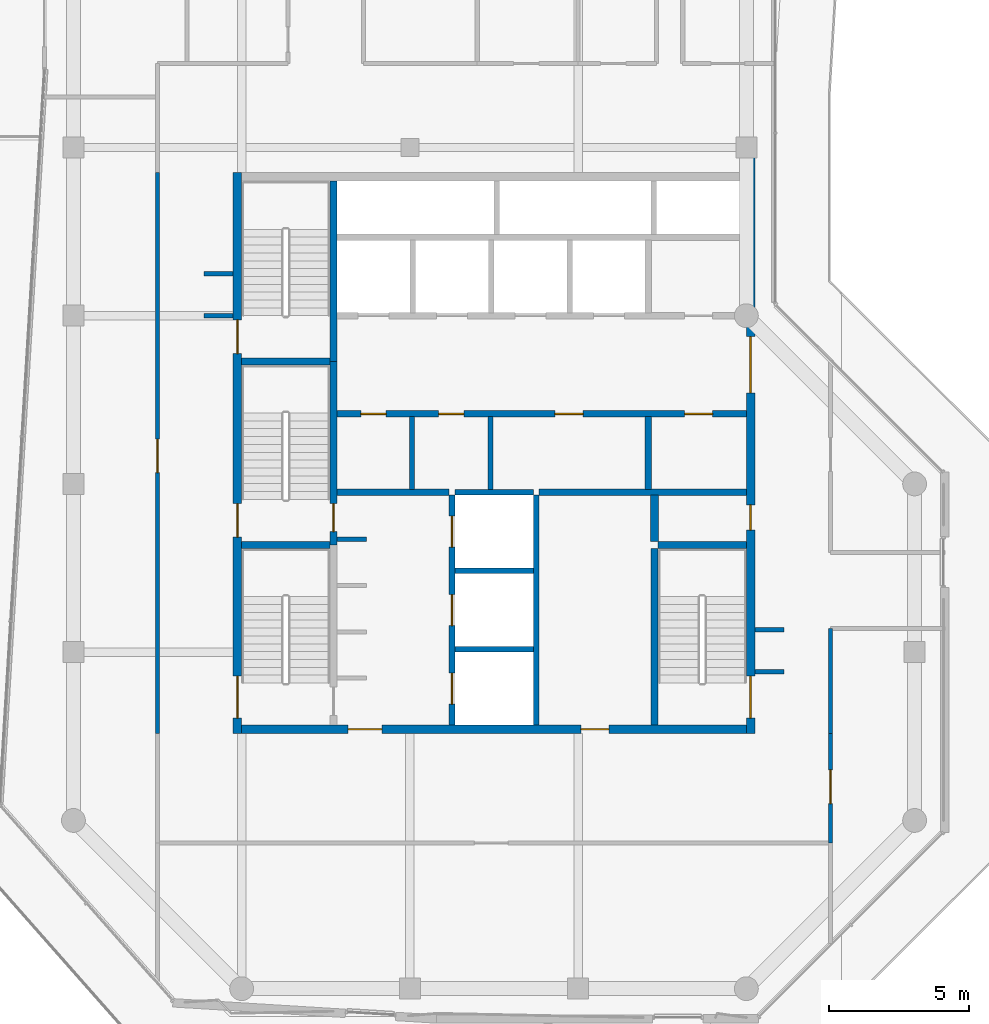
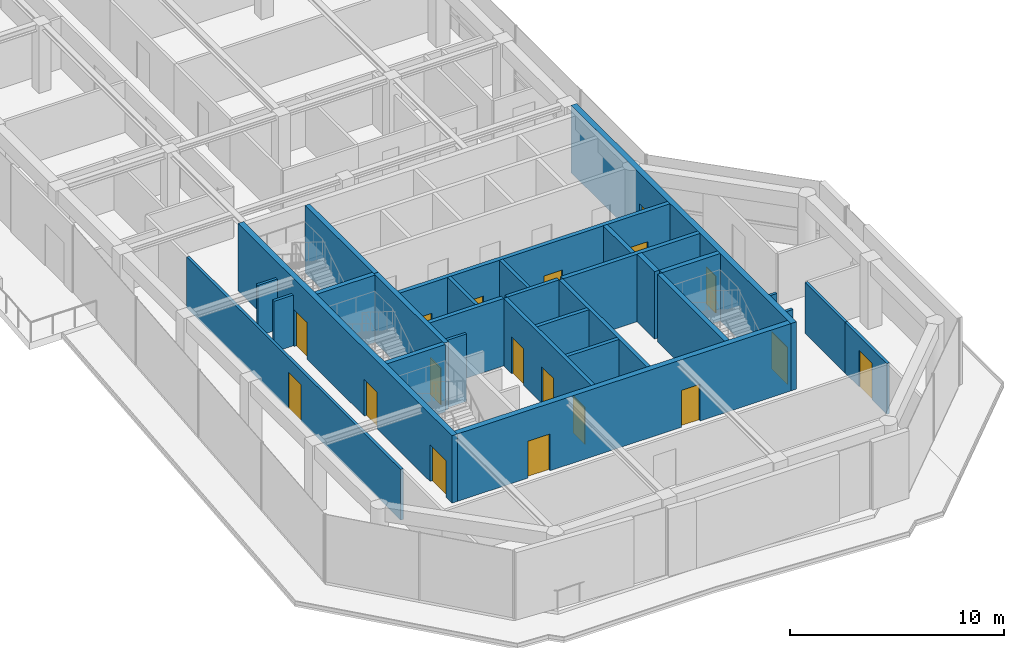
# One storey, part 14 of 18: 29 walls, 18 doors, 18 openings.
"""IFC4 building model written with IfcOpenShell, lengths in metres."""

import ifcopenshell
import ifcopenshell.guid

model = None  # the IFC model being written
_history = None  # IfcOwnerHistory: only IFC2X3 demands one
_inside = {}  # id of a spatial element -> (the spatial element, [elements in it])
_under = {}  # id of a project, library or spatial element -> (it, [spatial elements below it])
_declared = {}  # id of a project -> (the project, [libraries it declares])
_typed = {}  # id of a type object -> (the type object, [elements of that type])
_made_of = {}  # id of a material, layer set ... -> (it, [elements and type objects made of it])


def new_model(schema):
    """Start an empty IFC model of exactly this schema.

    Asked for "IFC4X3", IfcOpenShell would pick the latest addendum, in which some entities
    have other attributes; the version numbers below select the first issue.
    IFC2X3 requires an IfcOwnerHistory on every rooted entity: one is made here for all.
    """
    global model, _history
    if schema == "IFC4X3":
        model = ifcopenshell.file(schema_version=(4, 3, 0, 0))
    else:
        model = ifcopenshell.file(schema=schema)
    _inside.clear()
    _under.clear()
    _declared.clear()
    _typed.clear()
    _made_of.clear()
    _history = None
    if model.schema == "IFC2X3":
        org = make("IfcOrganization", Name="unknown")
        user = make(
            "IfcPersonAndOrganization",
            ThePerson=make("IfcPerson", FamilyName="unknown"),
            TheOrganization=org,
        )
        app = make(
            "IfcApplication",
            ApplicationDeveloper=org,
            Version="unknown",
            ApplicationFullName="unknown",
            ApplicationIdentifier="unknown",
        )
        _history = make(
            "IfcOwnerHistory",
            OwningUser=user,
            OwningApplication=app,
            ChangeAction="ADDED",
            CreationDate=0,
        )
    return model


def make(cls, **values):
    """One entity of the class cls with the attributes given. An attribute that is None is left unset."""
    return model.create_entity(
        cls, **{name: value for name, value in values.items() if value is not None}
    )


def rooted(cls, **values):
    """An entity with a GlobalId (a new one), such as an element, a storey or a relation."""
    return make(cls, GlobalId=ifcopenshell.guid.new(), OwnerHistory=_history, **values)


def si_unit(unit_type, name, prefix=None):
    """IfcSIUnit, for example si_unit("LENGTHUNIT", "METRE", prefix="MILLI")."""
    return make("IfcSIUnit", UnitType=unit_type, Prefix=prefix, Name=name)


def assignment(units):
    """IfcUnitAssignment: the units of a project."""
    return None if units is None else make("IfcUnitAssignment", Units=units)


def point(xyz):
    """IfcCartesianPoint."""
    return None if xyz is None else make("IfcCartesianPoint", Coordinates=xyz)


def direction(xyz):
    """IfcDirection."""
    return None if xyz is None else make("IfcDirection", DirectionRatios=xyz)


def frame(location, z_axis=None, x_axis=None):
    """IfcAxis2Placement3D, a coordinate frame: its origin and axes. An axis left out is left unset."""
    return make(
        "IfcAxis2Placement3D",
        Location=point(location),
        Axis=direction(z_axis),
        RefDirection=direction(x_axis),
    )


def frame_2d(location, x_axis=None):
    """IfcAxis2Placement2D, a coordinate frame in the plane: its origin and x axis."""
    return make(
        "IfcAxis2Placement2D", Location=point(location), RefDirection=direction(x_axis)
    )


def origin():
    """The frame at (0, 0, 0) with its axes left unset."""
    return frame((0.0, 0.0, 0.0))


def place(relative_to, where):
    """IfcLocalPlacement: puts the frame where relative to a parent placement (None: the world)."""
    return make(
        "IfcLocalPlacement", PlacementRelTo=relative_to, RelativePlacement=where
    )


def context(
    kind, dimensions, precision=None, world=None, true_north=None, identifier=None
):
    """IfcGeometricRepresentationContext, for example the 3D "Model" context."""
    return make(
        "IfcGeometricRepresentationContext",
        ContextIdentifier=identifier,
        ContextType=kind,
        CoordinateSpaceDimension=dimensions,
        Precision=precision,
        WorldCoordinateSystem=world,
        TrueNorth=true_north,
    )


def subcontext(parent, identifier, kind, view, scale=None):
    """IfcGeometricRepresentationSubContext, for example "Body" below "Model"."""
    return make(
        "IfcGeometricRepresentationSubContext",
        ContextIdentifier=identifier,
        ContextType=kind,
        ParentContext=parent,
        TargetScale=scale,
        TargetView=view,
    )


def project(units=None, contexts=None):
    """IfcProject with its units and contexts."""
    return rooted(
        "IfcProject",
        Name="project",
        RepresentationContexts=contexts,
        UnitsInContext=assignment(units),
    )


def spatial(cls, under=None, at=None, **own):
    """A site, building, storey or space (cls), placed at a placement, below another one or the project."""
    s = rooted(cls, ObjectPlacement=at, **own)
    if under is not None:
        _under.setdefault(under.id(), (under, []))[1].append(s)
    return s


def profile(cls, at=None, kind="AREA", **sizes):
    """A parametric profile (cls). Its sizes go by their IFC names, for example OverallWidth=200.0."""
    return make(cls, ProfileType=kind, Position=at, **sizes)


def rectangle(**sizes):
    """IfcRectangleProfileDef."""
    return profile("IfcRectangleProfileDef", **sizes)


def extrude(swept, where, along, depth):
    """IfcExtrudedAreaSolid: the profile swept, set in the frame where, extruded along a direction by depth."""
    return make(
        "IfcExtrudedAreaSolid",
        SweptArea=swept,
        Position=where,
        ExtrudedDirection=direction(along),
        Depth=depth,
    )


def shape(context_of_items, identifier, shape_type, items):
    """IfcShapeRepresentation: the items that make up one representation, for example the "Body"."""
    return make(
        "IfcShapeRepresentation",
        ContextOfItems=context_of_items,
        RepresentationIdentifier=identifier,
        RepresentationType=shape_type,
        Items=items,
    )


def material(Name=None, Category=None):
    """IfcMaterial."""
    return make("IfcMaterial", Name=Name, Category=Category)


def layer(
    of_material, thickness, ventilated=None, Name=None, Category=None, Priority=None
):
    """IfcMaterialLayer: one layer of a wall or slab, of a material (None: an air gap)."""
    return make(
        "IfcMaterialLayer",
        Material=of_material,
        LayerThickness=thickness,
        IsVentilated=ventilated,
        Name=Name,
        Category=Category,
        Priority=Priority,
    )


def layer_set(layers, Name=None):
    """IfcMaterialLayerSet."""
    return make("IfcMaterialLayerSet", MaterialLayers=layers, LayerSetName=Name)


def made_of(thing, what):
    """Note that an element or type object is made of a material, layer set ...; save() writes the relation."""
    if what is not None:
        _made_of.setdefault(what.id(), (what, []))[1].append(thing)
    return thing


def type_object(cls, material=None, **own):
    """A type object (cls), such as IfcWallType, which elements share."""
    return made_of(rooted(cls, **own), material)


def element(
    cls,
    number,
    at=None,
    inside=None,
    cuts=None,
    type_object=None,
    material=None,
    context=None,
    identifier="Body",
    shape_type=None,
    held_by="IfcProductDefinitionShape",
    body=None,
    shapes=None,
    **own,
):
    """One element of the class cls, such as IfcWall. Its Tag is "e" and its number.

    at: its placement. inside: the storey or other place that contains it. cuts: it is an
    opening in that element (IfcRelVoidsElement). A single representation is given by context,
    identifier, shape_type and body (its items); several are given by shapes. held_by: the class
    of the entity that holds the representations. save() writes the other relations.
    """
    e = rooted(cls, Tag="e%d" % number, ObjectPlacement=at, **own)
    if body is not None:
        shapes = [shape(context, identifier, shape_type, body)]
    if shapes is not None:
        e.Representation = make(held_by, Representations=shapes)
    if inside is not None:
        _inside.setdefault(inside.id(), (inside, []))[1].append(e)
    if cuts is not None:
        rooted(
            "IfcRelVoidsElement", RelatingBuildingElement=cuts, RelatedOpeningElement=e
        )
    if type_object is not None:
        _typed.setdefault(type_object.id(), (type_object, []))[1].append(e)
    return made_of(e, material)


def fill(opening, filler):
    """IfcRelFillsElement: the door or window that sits in an opening."""
    return rooted(
        "IfcRelFillsElement",
        RelatingOpeningElement=opening,
        RelatedBuildingElement=filler,
    )


def aggregate(whole, parts):
    """IfcRelAggregates: a whole, such as a stair, and the parts it consists of."""
    return rooted("IfcRelAggregates", RelatingObject=whole, RelatedObjects=parts)


def save(model, path):
    """Write the relations noted so far, then the file.

    IfcRelAggregates (storeys below a building ...), IfcRelContainedInSpatialStructure (elements
    in a storey), IfcRelDefinesByType, IfcRelAssociatesMaterial and IfcRelDeclares: one each for
    every whole, place, type object, material and project.
    """
    for whole, parts in _under.values():
        aggregate(whole, parts)
    for where, things in _inside.values():
        rooted(
            "IfcRelContainedInSpatialStructure",
            RelatedElements=things,
            RelatingStructure=where,
        )
    for kind, things in _typed.values():
        rooted("IfcRelDefinesByType", RelatedObjects=things, RelatingType=kind)
    for what, things in _made_of.values():
        rooted("IfcRelAssociatesMaterial", RelatedObjects=things, RelatingMaterial=what)
    for by, libraries in _declared.values():
        rooted("IfcRelDeclares", RelatingContext=by, RelatedDefinitions=libraries)
    model.write(path)


model = new_model("IFC4")

# Units and contexts
model_context = context("Model", 3, precision=1e-05, world=origin(), true_north=direction((0.0, 1.0)))
body_context = subcontext(model_context, "Body", "Model", "MODEL_VIEW")
ifc_project = project(units=[si_unit("LENGTHUNIT", "METRE"), si_unit("AREAUNIT", "SQUARE_METRE"), si_unit("VOLUMEUNIT", "CUBIC_METRE"), si_unit("PLANEANGLEUNIT", "RADIAN"), si_unit("MASSUNIT", "GRAM", prefix="KILO")], contexts=[model_context])

# Site, building, storey
site_placement = place(None, origin())
site = spatial("IfcSite", under=ifc_project, at=site_placement, CompositionType="ELEMENT")
building_placement = place(site_placement, origin())
building = spatial("IfcBuilding", under=site, at=building_placement, Name="Welwitschia Terrace Campus", CompositionType="ELEMENT")
storey_placement = place(building_placement, frame((0.0, 0.0, 272.60009765625)))
storey = spatial("IfcBuildingStorey", under=building, at=storey_placement, Name="L60", CompositionType="ELEMENT", Elevation=272.60009765625)

# Walls
ifc_material_1 = material(Name="Concrete C32/40", Category="concrete")
ifc_layer_1 = layer(ifc_material_1, 0.175048828125)
ifc_layer_set_1 = layer_set([ifc_layer_1], Name="Concrete C32/40")
wall_type_1 = type_object("IfcWallType", Name="Core partition 175 Concrete C32/40", PredefinedType="PARTITIONING", material=ifc_layer_set_1)
for number, where, z_axis, x_axis, name in (
    (1, (12.074951171875, 13.800048828125, 0.0), (0.0, 0.0, 1.0), (0.0, 1.0, 0.0), "Core partition"),
    (2, (14.875, 13.800048828125, 0.0), (0.0, 0.0, 1.0), (0.0, 1.0, 0.0), "Core partition"),
):
    element("IfcWall", number, at=place(storey_placement, frame(where, z_axis=z_axis, x_axis=x_axis)), inside=storey, type_object=wall_type_1, Name=name, PredefinedType="PARTITIONING", context=body_context, shape_type="SweptSolid", body=[
        extrude(rectangle(XDim=2.599853515625, YDim=0.175048828125, at=frame_2d((1.2998046875, 0.0))), origin(), (0.0, 0.0, 1.0), 3.849853515625),
    ])
ifc_material_2 = material(Name="Concrete C32/40", Category="concrete")
ifc_layer_2 = layer(ifc_material_2, 0.22509765625)
ifc_layer_set_2 = layer_set([ifc_layer_2], Name="Concrete C32/40")
wall_type_2 = type_object("IfcWallType", Name="Core partition 225 Concrete C32/40", PredefinedType="PARTITIONING", material=ifc_layer_set_2)
wall_1_placement = place(storey_placement, frame((9.39990234375, 13.699951171875, 0.0), z_axis=(0.0, 0.0, 1.0), x_axis=(1.0, 0.0, 0.0)))
element("IfcWall", 3, at=wall_1_placement, inside=storey, type_object=wall_type_2, Name="Core partition", PredefinedType="PARTITIONING", context=body_context, shape_type="SweptSolid", body=[
    extrude(rectangle(XDim=4.0, YDim=0.22509765625, at=frame_2d((2.0, 0.0))), origin(), (0.0, 0.0, 1.0), 3.849853515625),
])
wall_2_placement = place(storey_placement, frame((16.60009765625, 13.699951171875, 0.0), z_axis=(0.0, 0.0, 1.0), x_axis=(1.0, 0.0, 0.0)))
element("IfcWall", 4, at=wall_2_placement, inside=storey, type_object=wall_type_2, Name="Core partition", PredefinedType="PARTITIONING", context=body_context, shape_type="SweptSolid", body=[
    extrude(rectangle(XDim=7.39990234375, YDim=0.22509765625, at=frame_2d((3.699951171875, 0.0))), origin(), (0.0, 0.0, 1.0), 3.849853515625),
])

# Wall, openings, doors
wall_3_placement = place(storey_placement, frame((9.39990234375, 16.5, 0.0), z_axis=(0.0, 0.0, 1.0), x_axis=(1.0, 0.0, 0.0)))
wall_3 = element("IfcWall", 5, at=wall_3_placement, inside=storey, type_object=wall_type_2, Name="Core partition", PredefinedType="PARTITIONING", context=body_context, shape_type="SweptSolid", body=[
    extrude(rectangle(XDim=14.60009765625, YDim=0.22509765625, at=frame_2d((7.300048828125, 0.0))), origin(), (0.0, 0.0, 1.0), 3.849853515625),
])
opening_1_placement = place(wall_3_placement, frame((0.85009765625, 0.0, 0.0)))
opening_1 = element("IfcOpeningElement", 6, at=opening_1_placement, cuts=wall_3, Name="Opening DR09", PredefinedType="OPENING", context=body_context, shape_type="SweptSolid", body=[
    extrude(rectangle(XDim=0.89990234375, YDim=2.10009765625, at=frame_2d((0.449951171875, 1.050048828125))), frame((0.0, 0.12255859375, 0.0), z_axis=(0.0, -1.0, 0.0), x_axis=(1.0, 0.0, 0.0)), (0.0, 0.0, 1.0), 0.2451171875),
])
opening_2_placement = place(wall_3_placement, frame((3.625, 0.0, 0.0)))
opening_2 = element("IfcOpeningElement", 7, at=opening_2_placement, cuts=wall_3, Name="Opening DR09", PredefinedType="OPENING", context=body_context, shape_type="SweptSolid", body=[
    extrude(rectangle(XDim=0.89990234375, YDim=2.10009765625, at=frame_2d((0.449951171875, 1.050048828125))), frame((0.0, 0.12255859375, 0.0), z_axis=(0.0, -1.0, 0.0), x_axis=(1.0, 0.0, 0.0)), (0.0, 0.0, 1.0), 0.2451171875),
])
opening_3_placement = place(wall_3_placement, frame((7.77490234375, 0.0, 0.0)))
opening_3 = element("IfcOpeningElement", 8, at=opening_3_placement, cuts=wall_3, Name="Opening DR10", PredefinedType="OPENING", context=body_context, shape_type="SweptSolid", body=[
    extrude(rectangle(XDim=1.0, YDim=2.10009765625, at=frame_2d((0.5, 1.050048828125))), frame((0.0, 0.12255859375, 0.0), z_axis=(0.0, -1.0, 0.0), x_axis=(1.0, 0.0, 0.0)), (0.0, 0.0, 1.0), 0.2451171875),
])
opening_4_placement = place(wall_3_placement, frame((12.39990234375, 0.0, 0.0)))
opening_4 = element("IfcOpeningElement", 9, at=opening_4_placement, cuts=wall_3, Name="Opening DR10", PredefinedType="OPENING", context=body_context, shape_type="SweptSolid", body=[
    extrude(rectangle(XDim=1.0, YDim=2.10009765625, at=frame_2d((0.5, 1.050048828125))), frame((0.0, 0.12255859375, 0.0), z_axis=(0.0, -1.0, 0.0), x_axis=(1.0, 0.0, 0.0)), (0.0, 0.0, 1.0), 0.2451171875),
])
ifc_material_3 = material(Name="Steel S275", Category="steel")
door_type_1 = type_object("IfcDoorType", Name="Core door DR09", OperationType="SINGLE_SWING_LEFT", PredefinedType="DOOR", material=ifc_material_3)
door_1_placement = place(opening_1_placement, origin())
door_1 = element("IfcDoor", 10, at=door_1_placement, inside=storey, type_object=door_type_1, Name="Door BAYL1-D", OperationType="SINGLE_SWING_LEFT", OverallHeight=2.10009765625, OverallWidth=0.89990234375, PredefinedType="DOOR", context=body_context, shape_type="SweptSolid", body=[
    extrude(rectangle(XDim=0.89990234375, YDim=2.10009765625, at=frame_2d((0.449951171875, 1.050048828125))), frame((0.0, 0.02490234375, 0.0), z_axis=(0.0, -1.0, 0.0), x_axis=(1.0, 0.0, 0.0)), (0.0, 0.0, 1.0), 0.050048828125),
])
fill(opening_1, door_1)
door_2_placement = place(opening_2_placement, origin())
door_2 = element("IfcDoor", 11, at=door_2_placement, inside=storey, type_object=door_type_1, Name="Door BAYL2-D", OperationType="SINGLE_SWING_LEFT", OverallHeight=2.10009765625, OverallWidth=0.89990234375, PredefinedType="DOOR", context=body_context, shape_type="SweptSolid", body=[
    extrude(rectangle(XDim=0.89990234375, YDim=2.10009765625, at=frame_2d((0.449951171875, 1.050048828125))), frame((0.0, 0.02490234375, 0.0), z_axis=(0.0, -1.0, 0.0), x_axis=(1.0, 0.0, 0.0)), (0.0, 0.0, 1.0), 0.050048828125),
])
fill(opening_2, door_2)
ifc_material_4 = material(Name="Steel S275", Category="steel")
door_type_2 = type_object("IfcDoorType", Name="Core door DR10", OperationType="SINGLE_SWING_LEFT", PredefinedType="DOOR", material=ifc_material_4)
door_3_placement = place(opening_3_placement, origin())
door_3 = element("IfcDoor", 12, at=door_3_placement, inside=storey, type_object=door_type_2, Name="Door BAYL3-D", OperationType="SINGLE_SWING_RIGHT", OverallHeight=2.10009765625, OverallWidth=1.0, PredefinedType="DOOR", context=body_context, shape_type="SweptSolid", body=[
    extrude(rectangle(XDim=1.0, YDim=2.10009765625, at=frame_2d((0.5, 1.050048828125))), frame((0.0, 0.02490234375, 0.0), z_axis=(0.0, -1.0, 0.0), x_axis=(1.0, 0.0, 0.0)), (0.0, 0.0, 1.0), 0.050048828125),
])
fill(opening_3, door_3)
door_4_placement = place(opening_4_placement, origin())
door_4 = element("IfcDoor", 13, at=door_4_placement, inside=storey, type_object=door_type_2, Name="Door EL-D", OperationType="SINGLE_SWING_RIGHT", OverallHeight=2.10009765625, OverallWidth=1.0, PredefinedType="DOOR", context=body_context, shape_type="SweptSolid", body=[
    extrude(rectangle(XDim=1.0, YDim=2.10009765625, at=frame_2d((0.5, 1.050048828125))), frame((0.0, 0.02490234375, 0.0), z_axis=(0.0, -1.0, 0.0), x_axis=(1.0, 0.0, 0.0)), (0.0, 0.0, 1.0), 0.050048828125),
])
fill(opening_4, door_4)

# Walls
wall_4_placement = place(storey_placement, frame((20.5, 13.800048828125, 0.0), z_axis=(0.0, 0.0, 1.0), x_axis=(0.0, 1.0, 0.0)))
element("IfcWall", 14, at=wall_4_placement, inside=storey, type_object=wall_type_2, Name="Core partition", PredefinedType="PARTITIONING", context=body_context, shape_type="SweptSolid", body=[
    extrude(rectangle(XDim=2.599853515625, YDim=0.22509765625, at=frame_2d((1.2998046875, 0.0))), origin(), (0.0, 0.0, 1.0), 3.849853515625),
])
ifc_material_5 = material(Name="Concrete C32/40", Category="concrete")
ifc_layer_3 = layer(ifc_material_5, 0.27490234375)
ifc_layer_set_3 = layer_set([ifc_layer_3], Name="Concrete C32/40")
wall_type_3 = type_object("IfcWallType", Name="Core partition 275 Concrete C32/40", PredefinedType="PARTITIONING", material=ifc_layer_set_3)
wall_5_placement = place(storey_placement, frame((20.72509765625, 11.949951171875, 0.0), z_axis=(0.0, 0.0, 1.0), x_axis=(0.0, 1.0, 0.0)))
element("IfcWall", 15, at=wall_5_placement, inside=storey, type_object=wall_type_3, Name="Core partition", PredefinedType="PARTITIONING", context=body_context, shape_type="SweptSolid", body=[
    extrude(rectangle(XDim=1.650146484375, YDim=0.27490234375, at=frame_2d((0.8251953125, 0.0))), origin(), (0.0, 0.0, 1.0), 3.849853515625),
])
ifc_material_6 = material(Name="Concrete C50/60", Category="concrete")
ifc_layer_4 = layer(ifc_material_6, 0.14990234375)
ifc_layer_set_4 = layer_set([ifc_layer_4], Name="Concrete C50/60")
wall_type_4 = type_object("IfcWallType", Name="Core wall 150 Concrete C50/60", PredefinedType="SHEAR", material=ifc_layer_set_4)
wall_6_placement = place(storey_placement, frame((9.39990234375, 12.02490234375, 0.0), z_axis=(0.0, 0.0, 1.0), x_axis=(1.0, 0.0, 0.0)))
element("IfcWall", 16, at=wall_6_placement, inside=storey, type_object=wall_type_4, Name="Core wall", PredefinedType="SHEAR", context=body_context, shape_type="SweptSolid", body=[
    extrude(rectangle(XDim=1.050048828125, YDim=0.14990234375, at=frame_2d((0.52490234375, 0.0))), origin(), (0.0, 0.0, 1.0), 3.849853515625),
])
ifc_material_7 = material(Name="Concrete C50/60", Category="concrete")
ifc_layer_5 = layer(ifc_material_7, 0.199951171875)
ifc_layer_set_5 = layer_set([ifc_layer_5], Name="Concrete C50/60")
wall_type_5 = type_object("IfcWallType", Name="Core wall 200 Concrete C50/60", PredefinedType="SHEAR", material=ifc_layer_set_5)
for number, where, z_axis, x_axis, name in (
    (17, (13.60009765625, 8.10009765625, 0.0), (0.0, 0.0, 1.0), (1.0, 0.0, 0.0), "Core wall"),
    (18, (13.60009765625, 10.89990234375, 0.0), (0.0, 0.0, 1.0), (1.0, 0.0, 0.0), "Core wall"),
    (19, (13.60009765625, 13.699951171875, 0.0), (0.0, 0.0, 1.0), (1.0, 0.0, 0.0), "Core wall"),
):
    element("IfcWall", number, at=place(storey_placement, frame(where, z_axis=z_axis, x_axis=x_axis)), inside=storey, type_object=wall_type_5, Name=name, PredefinedType="SHEAR", context=body_context, shape_type="SweptSolid", body=[
        extrude(rectangle(XDim=2.7998046875, YDim=0.199951171875, at=frame_2d((1.39990234375, 0.0))), origin(), (0.0, 0.0, 1.0), 3.849853515625),
    ])

# Wall, openings, doors
wall_7_placement = place(storey_placement, frame((13.5, 5.39990234375, 0.0), z_axis=(0.0, 0.0, 1.0), x_axis=(0.0, 1.0, 0.0)))
wall_7 = element("IfcWall", 20, at=wall_7_placement, inside=storey, type_object=wall_type_5, Name="Core wall", PredefinedType="SHEAR", context=body_context, shape_type="SweptSolid", body=[
    extrude(rectangle(XDim=8.2001953125, YDim=0.199951171875, at=frame_2d((4.10009765625, 0.0))), origin(), (0.0, 0.0, 1.0), 3.849853515625),
])
opening_5_placement = place(wall_7_placement, frame((0.75, 0.0, 0.0)))
opening_5 = element("IfcOpeningElement", 21, at=opening_5_placement, cuts=wall_7, Name="Opening LD", PredefinedType="OPENING", context=body_context, shape_type="SweptSolid", body=[
    extrude(rectangle(XDim=1.10009765625, YDim=2.10009765625, at=frame_2d((0.550048828125, 1.050048828125))), frame((0.0, 0.10986328125, 0.0), z_axis=(0.0, -1.0, 0.0), x_axis=(1.0, 0.0, 0.0)), (0.0, 0.0, 1.0), 0.219970703125),
])
opening_6_placement = place(wall_7_placement, frame((3.550048828125, 0.0, 0.0)))
opening_6 = element("IfcOpeningElement", 22, at=opening_6_placement, cuts=wall_7, Name="Opening LD", PredefinedType="OPENING", context=body_context, shape_type="SweptSolid", body=[
    extrude(rectangle(XDim=1.10009765625, YDim=2.10009765625, at=frame_2d((0.550048828125, 1.050048828125))), frame((0.0, 0.10986328125, 0.0), z_axis=(0.0, -1.0, 0.0), x_axis=(1.0, 0.0, 0.0)), (0.0, 0.0, 1.0), 0.219970703125),
])
opening_7_placement = place(wall_7_placement, frame((6.35009765625, 0.0, 0.0)))
opening_7 = element("IfcOpeningElement", 23, at=opening_7_placement, cuts=wall_7, Name="Opening LD", PredefinedType="OPENING", context=body_context, shape_type="SweptSolid", body=[
    extrude(rectangle(XDim=1.10009765625, YDim=2.10009765625, at=frame_2d((0.550048828125, 1.050048828125))), frame((0.0, 0.10986328125, 0.0), z_axis=(0.0, -1.0, 0.0), x_axis=(1.0, 0.0, 0.0)), (0.0, 0.0, 1.0), 0.219970703125),
])
ifc_material_8 = material(Name="Stainless steel 304", Category="steel")
door_type_3 = type_object("IfcDoorType", Name="Lift landing door", OperationType="DOUBLE_DOOR_SLIDING", PredefinedType="DOOR", material=ifc_material_8)
door_5_placement = place(opening_5_placement, origin())
door_5 = element("IfcDoor", 24, at=door_5_placement, inside=storey, type_object=door_type_3, Name="Landing door FF1", OperationType="DOUBLE_DOOR_SLIDING", OverallHeight=2.10009765625, OverallWidth=1.10009765625, PredefinedType="DOOR", context=body_context, shape_type="SweptSolid", body=[
    extrude(rectangle(XDim=1.10009765625, YDim=2.10009765625, at=frame_2d((0.550048828125, 1.050048828125))), frame((0.0, 0.02490234375, 0.0), z_axis=(0.0, -1.0, 0.0), x_axis=(1.0, 0.0, 0.0)), (0.0, 0.0, 1.0), 0.050048828125),
])
fill(opening_5, door_5)
door_6_placement = place(opening_6_placement, origin())
door_6 = element("IfcDoor", 25, at=door_6_placement, inside=storey, type_object=door_type_3, Name="Landing door FF2", OperationType="DOUBLE_DOOR_SLIDING", OverallHeight=2.10009765625, OverallWidth=1.10009765625, PredefinedType="DOOR", context=body_context, shape_type="SweptSolid", body=[
    extrude(rectangle(XDim=1.10009765625, YDim=2.10009765625, at=frame_2d((0.550048828125, 1.050048828125))), frame((0.0, 0.02490234375, 0.0), z_axis=(0.0, -1.0, 0.0), x_axis=(1.0, 0.0, 0.0)), (0.0, 0.0, 1.0), 0.050048828125),
])
fill(opening_6, door_6)
door_7_placement = place(opening_7_placement, origin())
door_7 = element("IfcDoor", 26, at=door_7_placement, inside=storey, type_object=door_type_3, Name="Landing door SV1", OperationType="DOUBLE_DOOR_SLIDING", OverallHeight=2.10009765625, OverallWidth=1.10009765625, PredefinedType="DOOR", context=body_context, shape_type="SweptSolid", body=[
    extrude(rectangle(XDim=1.10009765625, YDim=2.10009765625, at=frame_2d((0.550048828125, 1.050048828125))), frame((0.0, 0.02490234375, 0.0), z_axis=(0.0, -1.0, 0.0), x_axis=(1.0, 0.0, 0.0)), (0.0, 0.0, 1.0), 0.050048828125),
])
fill(opening_7, door_7)

# Walls
wall_8_placement = place(storey_placement, frame((16.5, 5.39990234375, 0.0), z_axis=(0.0, 0.0, 1.0), x_axis=(0.0, 1.0, 0.0)))
element("IfcWall", 27, at=wall_8_placement, inside=storey, type_object=wall_type_5, Name="Core wall", PredefinedType="SHEAR", context=body_context, shape_type="SweptSolid", body=[
    extrude(rectangle(XDim=8.2001953125, YDim=0.199951171875, at=frame_2d((4.10009765625, 0.0))), origin(), (0.0, 0.0, 1.0), 3.849853515625),
])
ifc_material_9 = material(Name="Concrete C50/60", Category="concrete")
ifc_layer_6 = layer(ifc_material_9, 0.25)
ifc_layer_set_6 = layer_set([ifc_layer_6], Name="Concrete C50/60")
wall_type_6 = type_object("IfcWallType", Name="Core wall 250 Concrete C50/60", PredefinedType="SHEAR", material=ifc_layer_set_6)
for number, where, z_axis, x_axis, name in (
    (28, (6.0, 11.824951171875, 0.0), (0.0, 0.0, 1.0), (1.0, 0.0, 0.0), "Core wall"),
    (29, (20.85009765625, 11.824951171875, 0.0), (0.0, 0.0, 1.0), (1.0, 0.0, 0.0), "Core wall"),
    (30, (6.0, 18.375, 0.0), (0.0, 0.0, 1.0), (1.0, 0.0, 0.0), "Core wall"),
):
    element("IfcWall", number, at=place(storey_placement, frame(where, z_axis=z_axis, x_axis=x_axis)), inside=storey, type_object=wall_type_6, Name=name, PredefinedType="SHEAR", context=body_context, shape_type="SweptSolid", body=[
        extrude(rectangle(XDim=3.14990234375, YDim=0.25, at=frame_2d((1.574951171875, 0.0))), origin(), (0.0, 0.0, 1.0), 3.849853515625),
    ])

# Wall, opening, door
wall_9_placement = place(storey_placement, frame((9.27490234375, 18.375, 0.0), z_axis=(0.0, 0.0, 1.0), x_axis=(0.0, -1.0, 0.0)))
wall_9 = element("IfcWall", 31, at=wall_9_placement, inside=storey, type_object=wall_type_6, Name="Core wall", PredefinedType="SHEAR", context=body_context, shape_type="SweptSolid", body=[
    extrude(rectangle(XDim=6.550048828125, YDim=0.25, at=frame_2d((3.27490234375, 0.0))), origin(), (0.0, 0.0, 1.0), 3.849853515625),
])
opening_8_placement = place(wall_9_placement, frame((5.074951171875, 0.0, 0.0)))
opening_8 = element("IfcOpeningElement", 32, at=opening_8_placement, cuts=wall_9, Name="Opening DS10", PredefinedType="OPENING", context=body_context, shape_type="SweptSolid", body=[
    extrude(rectangle(XDim=1.0, YDim=2.10009765625, at=frame_2d((0.5, 1.050048828125))), frame((0.0, 0.135009765625, 0.0), z_axis=(0.0, -1.0, 0.0), x_axis=(1.0, 0.0, 0.0)), (0.0, 0.0, 1.0), 0.27001953125),
])
ifc_material_10 = material(Name="Steel S275", Category="steel")
door_type_4 = type_object("IfcDoorType", Name="Core door DS10", OperationType="SINGLE_SWING_LEFT", PredefinedType="DOOR", material=ifc_material_10)
door_8_placement = place(opening_8_placement, origin())
door_8 = element("IfcDoor", 33, at=door_8_placement, inside=storey, type_object=door_type_4, Name="Door S3-FL", OperationType="SINGLE_SWING_RIGHT", OverallHeight=2.10009765625, OverallWidth=1.0, PredefinedType="DOOR", context=body_context, shape_type="SweptSolid", body=[
    extrude(rectangle(XDim=1.0, YDim=2.10009765625, at=frame_2d((0.5, 1.050048828125))), frame((0.0, 0.02490234375, 0.0), z_axis=(0.0, -1.0, 0.0), x_axis=(1.0, 0.0, 0.0)), (0.0, 0.0, 1.0), 0.050048828125),
])
fill(opening_8, door_8)

# Walls
wall_10_placement = place(storey_placement, frame((9.27490234375, 18.375, 0.0), z_axis=(0.0, 0.0, 1.0), x_axis=(0.0, 1.0, 0.0)))
element("IfcWall", 34, at=wall_10_placement, inside=storey, type_object=wall_type_6, Name="Core wall", PredefinedType="SHEAR", context=body_context, shape_type="SweptSolid", body=[
    extrude(rectangle(XDim=6.425048828125, YDim=0.25, at=frame_2d((3.21240234375, 0.0))), origin(), (0.0, 0.0, 1.0), 3.849853515625),
])
wall_11_placement = place(storey_placement, frame((20.72509765625, 5.39990234375, 0.0), z_axis=(0.0, 0.0, 1.0), x_axis=(0.0, 1.0, 0.0)))
element("IfcWall", 35, at=wall_11_placement, inside=storey, type_object=wall_type_6, Name="Core wall", PredefinedType="SHEAR", context=body_context, shape_type="SweptSolid", body=[
    extrude(rectangle(XDim=6.300048828125, YDim=0.25, at=frame_2d((3.14990234375, 0.0))), origin(), (0.0, 0.0, 1.0), 3.849853515625),
])

# Wall, openings, doors
ifc_material_11 = material(Name="Concrete C50/60", Category="concrete")
ifc_layer_7 = layer(ifc_material_11, 0.300048828125)
ifc_layer_set_7 = layer_set([ifc_layer_7], Name="Concrete C50/60")
wall_type_7 = type_object("IfcWallType", Name="Core wall 300 Concrete C50/60", PredefinedType="SHEAR", material=ifc_layer_set_7)
wall_12_placement = place(storey_placement, frame((5.85009765625, 5.10009765625, 0.0), z_axis=(0.0, 0.0, 1.0), x_axis=(0.0, 1.0, 0.0)))
wall_12 = element("IfcWall", 36, at=wall_12_placement, inside=storey, type_object=wall_type_7, Name="Core outer wall", PredefinedType="SHEAR", context=body_context, shape_type="SweptSolid", body=[
    extrude(rectangle(XDim=20.0, YDim=0.300048828125, at=frame_2d((10.0, 0.0))), origin(), (0.0, 0.0, 1.0), 3.849853515625),
])
opening_9_placement = place(wall_12_placement, frame((0.550048828125, 0.0, 0.0)))
opening_9 = element("IfcOpeningElement", 37, at=opening_9_placement, cuts=wall_12, Name="Opening DS15", PredefinedType="OPENING", context=body_context, shape_type="SweptSolid", body=[
    extrude(rectangle(XDim=1.5, YDim=2.10009765625, at=frame_2d((0.75, 1.050048828125))), frame((0.0, 0.159912109375, 0.0), z_axis=(0.0, -1.0, 0.0), x_axis=(1.0, 0.0, 0.0)), (0.0, 0.0, 1.0), 0.320068359375),
])
opening_10_placement = place(wall_12_placement, frame((7.0, 0.0, 0.0)))
opening_10 = element("IfcOpeningElement", 38, at=opening_10_placement, cuts=wall_12, Name="Opening DS12", PredefinedType="OPENING", context=body_context, shape_type="SweptSolid", body=[
    extrude(rectangle(XDim=1.199951171875, YDim=2.10009765625, at=frame_2d((0.60009765625, 1.050048828125))), frame((0.0, 0.159912109375, 0.0), z_axis=(0.0, -1.0, 0.0), x_axis=(1.0, 0.0, 0.0)), (0.0, 0.0, 1.0), 0.320068359375),
])
opening_11_placement = place(wall_12_placement, frame((13.550048828125, 0.0, 0.0)))
opening_11 = element("IfcOpeningElement", 39, at=opening_11_placement, cuts=wall_12, Name="Opening DS12", PredefinedType="OPENING", context=body_context, shape_type="SweptSolid", body=[
    extrude(rectangle(XDim=1.199951171875, YDim=2.10009765625, at=frame_2d((0.60009765625, 1.050048828125))), frame((0.0, 0.159912109375, 0.0), z_axis=(0.0, -1.0, 0.0), x_axis=(1.0, 0.0, 0.0)), (0.0, 0.0, 1.0), 0.320068359375),
])
ifc_material_12 = material(Name="Steel S275", Category="steel")
door_type_5 = type_object("IfcDoorType", Name="Core door DS12", OperationType="SINGLE_SWING_LEFT", PredefinedType="DOOR", material=ifc_material_12)
door_9_placement = place(opening_10_placement, origin())
door_9 = element("IfcDoor", 40, at=door_9_placement, inside=storey, type_object=door_type_5, Name="Door S3-out", OperationType="SINGLE_SWING_LEFT", OverallHeight=2.10009765625, OverallWidth=1.199951171875, PredefinedType="DOOR", context=body_context, shape_type="SweptSolid", body=[
    extrude(rectangle(XDim=1.199951171875, YDim=2.10009765625, at=frame_2d((0.60009765625, 1.050048828125))), frame((0.0, 0.02490234375, 0.0), z_axis=(0.0, -1.0, 0.0), x_axis=(1.0, 0.0, 0.0)), (0.0, 0.0, 1.0), 0.050048828125),
])
fill(opening_10, door_9)
door_10_placement = place(opening_11_placement, origin())
door_10 = element("IfcDoor", 41, at=door_10_placement, inside=storey, type_object=door_type_5, Name="Door S4-out", OperationType="SINGLE_SWING_RIGHT", OverallHeight=2.10009765625, OverallWidth=1.199951171875, PredefinedType="DOOR", context=body_context, shape_type="SweptSolid", body=[
    extrude(rectangle(XDim=1.199951171875, YDim=2.10009765625, at=frame_2d((0.60009765625, 1.050048828125))), frame((0.0, 0.02490234375, 0.0), z_axis=(0.0, -1.0, 0.0), x_axis=(1.0, 0.0, 0.0)), (0.0, 0.0, 1.0), 0.050048828125),
])
fill(opening_11, door_10)
ifc_material_13 = material(Name="Steel S275", Category="steel")
door_type_6 = type_object("IfcDoorType", Name="Core door DS15", OperationType="DOUBLE_DOOR_SINGLE_SWING", PredefinedType="DOOR", material=ifc_material_13)
door_11_placement = place(opening_9_placement, origin())
door_11 = element("IfcDoor", 42, at=door_11_placement, inside=storey, type_object=door_type_6, Name="Door S1-out", OperationType="DOUBLE_DOOR_SINGLE_SWING", OverallHeight=2.10009765625, OverallWidth=1.5, PredefinedType="DOOR", context=body_context, shape_type="SweptSolid", body=[
    extrude(rectangle(XDim=1.5, YDim=2.10009765625, at=frame_2d((0.75, 1.050048828125))), frame((0.0, 0.02490234375, 0.0), z_axis=(0.0, -1.0, 0.0), x_axis=(1.0, 0.0, 0.0)), (0.0, 0.0, 1.0), 0.050048828125),
])
fill(opening_9, door_11)

wall_13_placement = place(storey_placement, frame((24.14990234375, 25.655029296875, 0.0), z_axis=(0.0, 0.0, 1.0), x_axis=(0.0, -1.0, 0.0)))
wall_13 = element("IfcWall", 43, at=wall_13_placement, inside=storey, type_object=wall_type_7, Name="Core outer wall", PredefinedType="SHEAR", context=body_context, shape_type="SweptSolid", body=[
    extrude(rectangle(XDim=20.554931640625, YDim=0.300048828125, at=frame_2d((10.27734375, 0.0))), origin(), (0.0, 0.0, 1.0), 3.849853515625),
])
opening_12_placement = place(wall_13_placement, frame((18.5048828125, 0.0, 0.0)))
opening_12 = element("IfcOpeningElement", 44, at=opening_12_placement, cuts=wall_13, Name="Opening DS15", PredefinedType="OPENING", context=body_context, shape_type="SweptSolid", body=[
    extrude(rectangle(XDim=1.5, YDim=2.10009765625, at=frame_2d((0.75, 1.050048828125))), frame((0.0, 0.159912109375, 0.0), z_axis=(0.0, -1.0, 0.0), x_axis=(1.0, 0.0, 0.0)), (0.0, 0.0, 1.0), 0.320068359375),
])
opening_13_placement = place(wall_13_placement, frame((12.405029296875, 0.0, 0.0)))
opening_13 = element("IfcOpeningElement", 45, at=opening_13_placement, cuts=wall_13, Name="Opening DR09", PredefinedType="OPENING", context=body_context, shape_type="SweptSolid", body=[
    extrude(rectangle(XDim=0.89990234375, YDim=2.10009765625, at=frame_2d((0.449951171875, 1.050048828125))), frame((0.0, 0.159912109375, 0.0), z_axis=(0.0, -1.0, 0.0), x_axis=(1.0, 0.0, 0.0)), (0.0, 0.0, 1.0), 0.320068359375),
])
opening_14_placement = place(wall_13_placement, frame((6.405029296875, 0.0, 0.0)))
opening_14 = element("IfcOpeningElement", 46, at=opening_14_placement, cuts=wall_13, Name="Opening DL20", PredefinedType="OPENING", context=body_context, shape_type="SweptSolid", body=[
    extrude(rectangle(XDim=2.0, YDim=2.10009765625, at=frame_2d((1.0, 1.050048828125))), frame((0.0, 0.159912109375, 0.0), z_axis=(0.0, -1.0, 0.0), x_axis=(1.0, 0.0, 0.0)), (0.0, 0.0, 1.0), 0.320068359375),
])
ifc_material_14 = material(Name="Steel S275", Category="steel")
door_type_7 = type_object("IfcDoorType", Name="Core door DL20", OperationType="DOUBLE_DOOR_SINGLE_SWING", PredefinedType="DOOR", material=ifc_material_14)
door_12_placement = place(opening_14_placement, origin())
door_12 = element("IfcDoor", 47, at=door_12_placement, inside=storey, type_object=door_type_7, Name="Door LOBBY-out", OperationType="DOUBLE_DOOR_SINGLE_SWING", OverallHeight=2.10009765625, OverallWidth=2.0, PredefinedType="DOOR", context=body_context, shape_type="SweptSolid", body=[
    extrude(rectangle(XDim=2.0, YDim=2.10009765625, at=frame_2d((1.0, 1.050048828125))), frame((0.0, 0.02490234375, 0.0), z_axis=(0.0, -1.0, 0.0), x_axis=(1.0, 0.0, 0.0)), (0.0, 0.0, 1.0), 0.050048828125),
])
fill(opening_14, door_12)
door_13_placement = place(opening_13_placement, origin())
door_13 = element("IfcDoor", 48, at=door_13_placement, inside=storey, type_object=door_type_1, Name="Door F1B-out", OperationType="SINGLE_SWING_RIGHT", OverallHeight=2.10009765625, OverallWidth=0.89990234375, PredefinedType="DOOR", context=body_context, shape_type="SweptSolid", body=[
    extrude(rectangle(XDim=0.89990234375, YDim=2.10009765625, at=frame_2d((0.449951171875, 1.050048828125))), frame((0.0, 0.02490234375, 0.0), z_axis=(0.0, -1.0, 0.0), x_axis=(1.0, 0.0, 0.0)), (0.0, 0.0, 1.0), 0.050048828125),
])
fill(opening_13, door_13)
door_14_placement = place(opening_12_placement, origin())
door_14 = element("IfcDoor", 49, at=door_14_placement, inside=storey, type_object=door_type_6, Name="Door S2-out", OperationType="DOUBLE_DOOR_SINGLE_SWING", OverallHeight=2.10009765625, OverallWidth=1.5, PredefinedType="DOOR", context=body_context, shape_type="SweptSolid", body=[
    extrude(rectangle(XDim=1.5, YDim=2.10009765625, at=frame_2d((0.75, 1.050048828125))), frame((0.0, 0.02490234375, 0.0), z_axis=(0.0, -1.0, 0.0), x_axis=(1.0, 0.0, 0.0)), (0.0, 0.0, 1.0), 0.050048828125),
])
fill(opening_12, door_14)

wall_14_placement = place(storey_placement, frame((24.0, 5.25, 0.0), z_axis=(0.0, 0.0, 1.0), x_axis=(-1.0, 0.0, 0.0)))
wall_14 = element("IfcWall", 50, at=wall_14_placement, inside=storey, type_object=wall_type_7, Name="Core outer wall", PredefinedType="SHEAR", context=body_context, shape_type="SweptSolid", body=[
    extrude(rectangle(XDim=18.0, YDim=0.300048828125, at=frame_2d((9.0, 0.0))), origin(), (0.0, 0.0, 1.0), 3.849853515625),
])
opening_15_placement = place(wall_14_placement, frame((13.0, 0.0, 0.0)))
opening_15 = element("IfcOpeningElement", 51, at=opening_15_placement, cuts=wall_14, Name="Opening DF12", PredefinedType="OPENING", context=body_context, shape_type="SweptSolid", body=[
    extrude(rectangle(XDim=1.199951171875, YDim=2.10009765625, at=frame_2d((0.60009765625, 1.050048828125))), frame((0.0, 0.159912109375, 0.0), z_axis=(0.0, -1.0, 0.0), x_axis=(1.0, 0.0, 0.0)), (0.0, 0.0, 1.0), 0.320068359375),
])
opening_16_placement = place(wall_14_placement, frame((4.89990234375, 0.0, 0.0)))
opening_16 = element("IfcOpeningElement", 52, at=opening_16_placement, cuts=wall_14, Name="Opening DR10", PredefinedType="OPENING", context=body_context, shape_type="SweptSolid", body=[
    extrude(rectangle(XDim=1.0, YDim=2.10009765625, at=frame_2d((0.5, 1.050048828125))), frame((0.0, 0.159912109375, 0.0), z_axis=(0.0, -1.0, 0.0), x_axis=(1.0, 0.0, 0.0)), (0.0, 0.0, 1.0), 0.320068359375),
])
ifc_material_15 = material(Name="Steel S275", Category="steel")
door_type_8 = type_object("IfcDoorType", Name="Core door DF12", OperationType="SINGLE_SWING_LEFT", PredefinedType="DOOR", material=ifc_material_15)
door_15_placement = place(opening_15_placement, origin())
door_15 = element("IfcDoor", 53, at=door_15_placement, inside=storey, type_object=door_type_8, Name="Door FL-out", OperationType="SINGLE_SWING_RIGHT", OverallHeight=2.10009765625, OverallWidth=1.199951171875, PredefinedType="DOOR", context=body_context, shape_type="SweptSolid", body=[
    extrude(rectangle(XDim=1.199951171875, YDim=2.10009765625, at=frame_2d((0.60009765625, 1.050048828125))), frame((0.0, 0.02490234375, 0.0), z_axis=(0.0, -1.0, 0.0), x_axis=(1.0, 0.0, 0.0)), (0.0, 0.0, 1.0), 0.050048828125),
])
fill(opening_15, door_15)
door_16_placement = place(opening_16_placement, origin())
door_16 = element("IfcDoor", 54, at=door_16_placement, inside=storey, type_object=door_type_2, Name="Door F1-out", OperationType="SINGLE_SWING_LEFT", OverallHeight=2.10009765625, OverallWidth=1.0, PredefinedType="DOOR", context=body_context, shape_type="SweptSolid", body=[
    extrude(rectangle(XDim=1.0, YDim=2.10009765625, at=frame_2d((0.5, 1.050048828125))), frame((0.0, 0.02490234375, 0.0), z_axis=(0.0, -1.0, 0.0), x_axis=(1.0, 0.0, 0.0)), (0.0, 0.0, 1.0), 0.050048828125),
])
fill(opening_16, door_16)

# Wall, opening, door
ifc_material_16 = material(Name="Gypsum board on steel studs", Category="steel")
ifc_layer_8 = layer(ifc_material_16, 0.14990234375)
ifc_layer_set_8 = layer_set([ifc_layer_8], Name="Gypsum board on steel studs")
wall_type_8 = type_object("IfcWallType", Name="Corridor partition 150 EI 30", PredefinedType="PARTITIONING", material=ifc_layer_set_8)
wall_15_placement = place(storey_placement, frame((3.0, 5.10009765625, 0.0), z_axis=(0.0, 0.0, 1.0), x_axis=(0.0, 1.0, 0.0)))
wall_15 = element("IfcWall", 55, at=wall_15_placement, inside=storey, type_object=wall_type_8, Name="Partition", PredefinedType="PARTITIONING", context=body_context, shape_type="SweptSolid", body=[
    extrude(rectangle(XDim=20.0, YDim=0.14990234375, at=frame_2d((10.0, 0.0))), origin(), (0.0, 0.0, 1.0), 2.89990234375),
])
opening_17_placement = place(wall_15_placement, frame((9.300048828125, 0.0, 0.0)))
opening_17 = element("IfcOpeningElement", 56, at=opening_17_placement, cuts=wall_15, Name="Opening DI12", PredefinedType="OPENING", context=body_context, shape_type="SweptSolid", body=[
    extrude(rectangle(XDim=1.199951171875, YDim=2.10009765625, at=frame_2d((0.60009765625, 1.050048828125))), frame((0.0, 0.0849609375, 0.0), z_axis=(0.0, -1.0, 0.0), x_axis=(1.0, 0.0, 0.0)), (0.0, 0.0, 1.0), 0.169921875),
])
ifc_material_17 = material(Name="Timber veneered door", Category="wood")
door_type_9 = type_object("IfcDoorType", Name="Interior door DI12", OperationType="NOTDEFINED", PredefinedType="DOOR", material=ifc_material_17)
door_17_placement = place(opening_17_placement, origin())
door_17 = element("IfcDoor", 57, at=door_17_placement, inside=storey, type_object=door_type_9, Name="Door L60 1072", OperationType="SINGLE_SWING_LEFT", OverallHeight=2.10009765625, OverallWidth=1.199951171875, PredefinedType="DOOR", context=body_context, shape_type="SweptSolid", body=[
    extrude(rectangle(XDim=1.199951171875, YDim=2.10009765625, at=frame_2d((0.60009765625, 1.050048828125))), frame((0.0, 0.02490234375, 0.0), z_axis=(0.0, -1.0, 0.0), x_axis=(1.0, 0.0, 0.0)), (0.0, 0.0, 1.0), 0.050048828125),
])
fill(opening_17, door_17)

# Walls
for number, where, z_axis, x_axis, name in (
    (58, (4.64990234375, 20.0, 0.0), (0.0, 0.0, 1.0), (1.0, 0.0, 0.0), "Partition"),
    (59, (4.64990234375, 21.5, 0.0), (0.0, 0.0, 1.0), (1.0, 0.0, 0.0), "Partition"),
    (60, (24.300048828125, 7.300048828125, 0.0), (0.0, 0.0, 1.0), (1.0, 0.0, 0.0), "Partition"),
    (61, (24.300048828125, 8.800048828125, 0.0), (0.0, 0.0, 1.0), (1.0, 0.0, 0.0), "Partition"),
):
    element("IfcWall", number, at=place(storey_placement, frame(where, z_axis=z_axis, x_axis=x_axis)), inside=storey, type_object=wall_type_8, Name=name, PredefinedType="PARTITIONING", context=body_context, shape_type="SweptSolid", body=[
        extrude(rectangle(XDim=1.050048828125, YDim=0.14990234375, at=frame_2d((0.52490234375, 0.0))), origin(), (0.0, 0.0, 1.0), 2.89990234375),
    ])

# Wall, opening, door
wall_16_placement = place(storey_placement, frame((27.0, 1.199951171875, 0.0), z_axis=(0.0, 0.0, 1.0), x_axis=(0.0, 1.0, 0.0)))
wall_16 = element("IfcWall", 62, at=wall_16_placement, inside=storey, type_object=wall_type_8, Name="Partition", PredefinedType="PARTITIONING", context=body_context, shape_type="SweptSolid", body=[
    extrude(rectangle(XDim=3.900146484375, YDim=0.14990234375, at=frame_2d((1.9501953125, 0.0))), origin(), (0.0, 0.0, 1.0), 2.89990234375),
])
opening_18_placement = place(wall_16_placement, frame((1.39990234375, 0.0, 0.0)))
opening_18 = element("IfcOpeningElement", 63, at=opening_18_placement, cuts=wall_16, Name="Opening DI12", PredefinedType="OPENING", context=body_context, shape_type="SweptSolid", body=[
    extrude(rectangle(XDim=1.199951171875, YDim=2.10009765625, at=frame_2d((0.60009765625, 1.050048828125))), frame((0.0, 0.0849609375, 0.0), z_axis=(0.0, -1.0, 0.0), x_axis=(1.0, 0.0, 0.0)), (0.0, 0.0, 1.0), 0.169921875),
])
door_18_placement = place(opening_18_placement, origin())
door_18 = element("IfcDoor", 64, at=door_18_placement, inside=storey, type_object=door_type_9, Name="Door L60 1086", OperationType="SINGLE_SWING_LEFT", OverallHeight=2.10009765625, OverallWidth=1.199951171875, PredefinedType="DOOR", context=body_context, shape_type="SweptSolid", body=[
    extrude(rectangle(XDim=1.199951171875, YDim=2.10009765625, at=frame_2d((0.60009765625, 1.050048828125))), frame((0.0, 0.02490234375, 0.0), z_axis=(0.0, -1.0, 0.0), x_axis=(1.0, 0.0, 0.0)), (0.0, 0.0, 1.0), 0.050048828125),
])
fill(opening_18, door_18)

# Wall
wall_17_placement = place(storey_placement, frame((27.0, 5.10009765625, 0.0), z_axis=(0.0, 0.0, 1.0), x_axis=(0.0, 1.0, 0.0)))
element("IfcWall", 65, at=wall_17_placement, inside=storey, type_object=wall_type_8, Name="Partition", PredefinedType="PARTITIONING", context=body_context, shape_type="SweptSolid", body=[
    extrude(rectangle(XDim=3.75, YDim=0.14990234375, at=frame_2d((1.875, 0.0))), origin(), (0.0, 0.0, 1.0), 2.89990234375),
])

save(model, "model.ifc")
